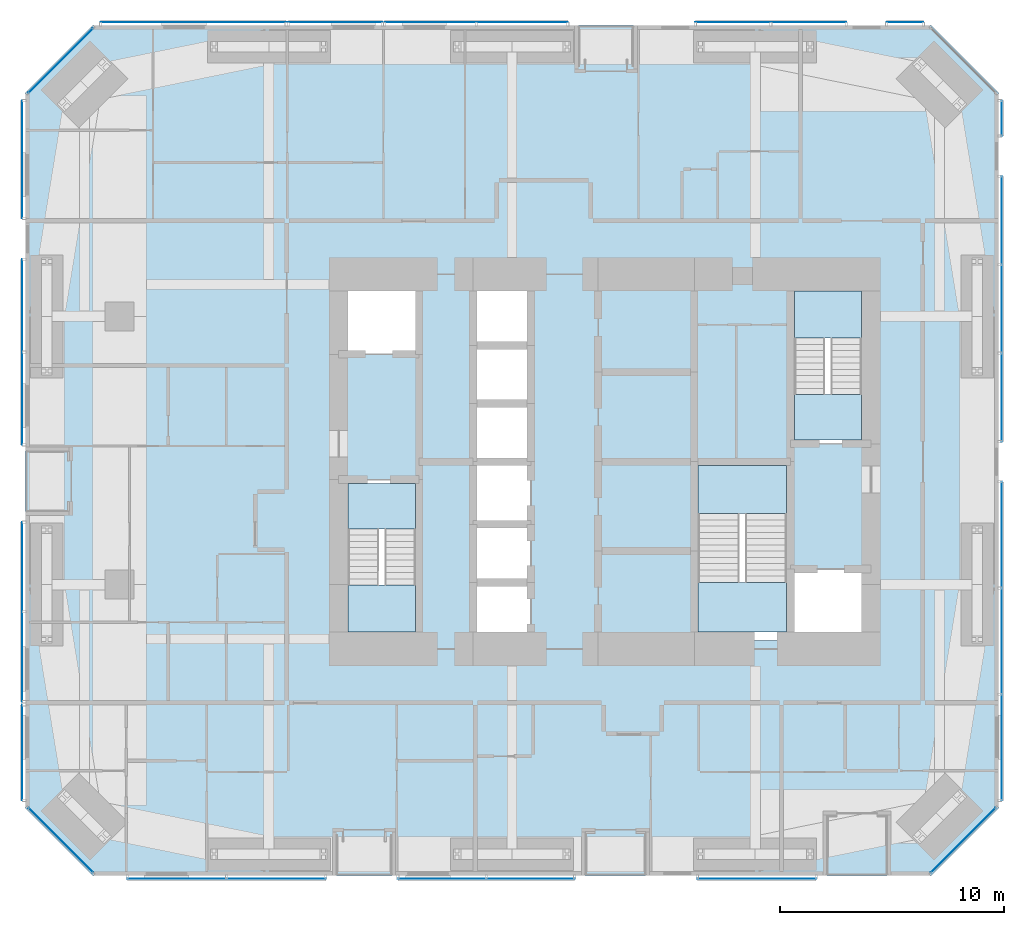
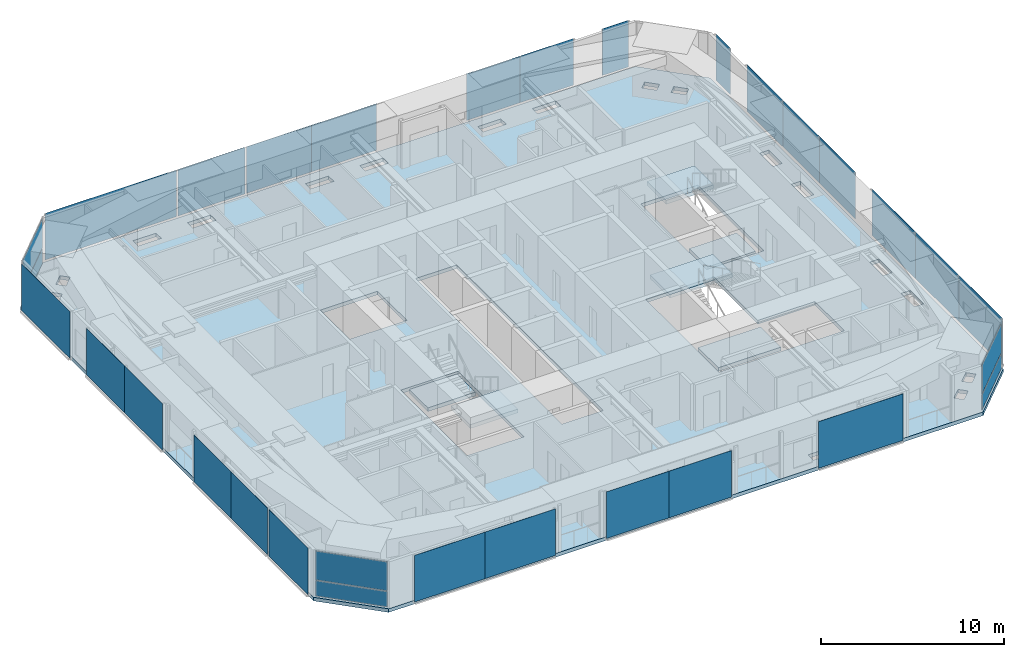
# One storey, part 15 of 23: 31 plates, 7 slabs, 21 elements without a shape of their own.
"""IFC4 building model written with IfcOpenShell, lengths in metres."""

from ifc_helpers import new_model, si_unit, direction, frame, origin, origin_2d, place, context, subcontext, project, spatial, polyline, rectangle, outline, extrude, material, layer, layer_set, type_object, element, aggregate, save


model = new_model("IFC4")

# Units and contexts
model_context = context("Model", 3, precision=1e-05, world=origin(), true_north=direction((0.0, 1.0)))
body_context = subcontext(model_context, "Body", "Model", "MODEL_VIEW")
ifc_project = project(units=[si_unit("LENGTHUNIT", "METRE"), si_unit("AREAUNIT", "SQUARE_METRE"), si_unit("VOLUMEUNIT", "CUBIC_METRE"), si_unit("PLANEANGLEUNIT", "RADIAN"), si_unit("MASSUNIT", "GRAM", prefix="KILO")], contexts=[model_context])

# Site, building, storey
site_placement = place(None, origin())
site = spatial("IfcSite", under=ifc_project, at=site_placement, CompositionType="ELEMENT")
building_placement = place(site_placement, origin())
building = spatial("IfcBuilding", under=site, at=building_placement, Name="Jalousie Tower", CompositionType="ELEMENT")
storey_placement = place(building_placement, frame((0.0, 0.0, 108.199951171875)))
storey = spatial("IfcBuildingStorey", under=building, at=storey_placement, Name="L29", CompositionType="ELEMENT", Elevation=108.199951171875)

# Curtain wall, plates
ifc_material_1 = material(Name="Aluminium curtain wall", Category="aluminium")
curtain_wall_type_1 = type_object("IfcCurtainWallType", Name="CORNER WINDOW WALL", PredefinedType="USERDEFINED", material=ifc_material_1)
curtain_wall_1_placement = place(storey_placement, origin())
curtain_wall_1 = element("IfcCurtainWall", 1, at=curtain_wall_1_placement, inside=storey, type_object=curtain_wall_type_1, Name="Corner Window Wall L29 2", ObjectType="CORNER WINDOW WALL", PredefinedType="USERDEFINED")
ifc_material_2 = material(Name="Laminated impact-rated spandrel glass", Category="glass")
ifc_layer_1 = layer(ifc_material_2, 0.028076171875)
ifc_layer_set_1 = layer_set([ifc_layer_1], Name="Laminated impact-rated spandrel glass")
plate_type_1 = type_object("IfcPlateType", Name="CORNER WINDOW WALL PANEL", PredefinedType="CURTAIN_PANEL", material=ifc_layer_set_1)
plate_1_placement = place(storey_placement, frame((47.9306640625, 1.5693359375, 0.06005859375), z_axis=(0.0, 0.0, 1.0), x_axis=(0.707106781187, 0.707106781187, 0.0)))
plate_1 = element("IfcPlate", 2, at=plate_1_placement, type_object=plate_type_1, Name="CW-C panel 1.1", PredefinedType="CURTAIN_PANEL", context=body_context, shape_type="SweptSolid", body=[
    extrude(rectangle(XDim=4.071533203125, YDim=0.028076171875, at=origin_2d()), origin(), (0.0, 0.0, 1.0), 1.010009765625),
])
plate_2_placement = place(storey_placement, frame((47.9306640625, 1.5693359375, 1.130126953125), z_axis=(0.0, 0.0, 1.0), x_axis=(0.707106781187, 0.707106781187, 0.0)))
plate_2 = element("IfcPlate", 3, at=plate_2_placement, type_object=plate_type_1, Name="CW-C panel 1.2", PredefinedType="CURTAIN_PANEL", context=body_context, shape_type="SweptSolid", body=[
    extrude(rectangle(XDim=4.071533203125, YDim=0.028076171875, at=origin_2d()), origin(), (0.0, 0.0, 1.0), 1.919921875),
])
aggregate(curtain_wall_1, [plate_1, plate_2])

curtain_wall_2_placement = place(storey_placement, origin())
curtain_wall_2 = element("IfcCurtainWall", 4, at=curtain_wall_2_placement, inside=storey, type_object=curtain_wall_type_1, Name="Corner Window Wall L29 6", ObjectType="CORNER WINDOW WALL", PredefinedType="USERDEFINED")
plate_3_placement = place(storey_placement, frame((7.5693359375, 36.4306640625, 0.06005859375), z_axis=(0.0, 0.0, 1.0), x_axis=(-0.707106781187, -0.707106781187, 0.0)))
plate_3 = element("IfcPlate", 5, at=plate_3_placement, type_object=plate_type_1, Name="CW-C panel 1.1", PredefinedType="CURTAIN_PANEL", context=body_context, shape_type="SweptSolid", body=[
    extrude(rectangle(XDim=4.071533203125, YDim=0.028076171875, at=origin_2d()), origin(), (0.0, 0.0, 1.0), 1.010009765625),
])
plate_4_placement = place(storey_placement, frame((7.5693359375, 36.4306640625, 1.130126953125), z_axis=(0.0, 0.0, 1.0), x_axis=(-0.707106781187, -0.707106781187, 0.0)))
plate_4 = element("IfcPlate", 6, at=plate_4_placement, type_object=plate_type_1, Name="CW-C panel 1.2", PredefinedType="CURTAIN_PANEL", context=body_context, shape_type="SweptSolid", body=[
    extrude(rectangle(XDim=4.071533203125, YDim=0.028076171875, at=origin_2d()), origin(), (0.0, 0.0, 1.0), 1.919921875),
])
aggregate(curtain_wall_2, [plate_3, plate_4])

curtain_wall_3_placement = place(storey_placement, origin())
curtain_wall_3 = element("IfcCurtainWall", 7, at=curtain_wall_3_placement, inside=storey, type_object=curtain_wall_type_1, Name="Corner Window Wall L29 8", ObjectType="CORNER WINDOW WALL", PredefinedType="USERDEFINED")
plate_5_placement = place(storey_placement, frame((7.5693359375, 1.5693359375, 0.06005859375), z_axis=(0.0, 0.0, 1.0), x_axis=(0.707106781187, -0.707106781187, 0.0)))
plate_5 = element("IfcPlate", 8, at=plate_5_placement, type_object=plate_type_1, Name="CW-C panel 1.1", PredefinedType="CURTAIN_PANEL", context=body_context, shape_type="SweptSolid", body=[
    extrude(rectangle(XDim=4.071533203125, YDim=0.028076171875, at=origin_2d()), origin(), (0.0, 0.0, 1.0), 1.010009765625),
])
plate_6_placement = place(storey_placement, frame((7.5693359375, 1.5693359375, 1.130126953125), z_axis=(0.0, 0.0, 1.0), x_axis=(0.707106781187, -0.707106781187, 0.0)))
plate_6 = element("IfcPlate", 9, at=plate_6_placement, type_object=plate_type_1, Name="CW-C panel 1.2", PredefinedType="CURTAIN_PANEL", context=body_context, shape_type="SweptSolid", body=[
    extrude(rectangle(XDim=4.071533203125, YDim=0.028076171875, at=origin_2d()), origin(), (0.0, 0.0, 1.0), 1.919921875),
])
aggregate(curtain_wall_3, [plate_5, plate_6])

# Slab
ifc_material_3 = material(Name="Concrete f'c 40 MPa", Category="concrete")
ifc_layer_2 = layer(ifc_material_3, 0.239990234375)
ifc_layer_set_2 = layer_set([ifc_layer_2], Name="Concrete f'c 40 MPa")
slab_type_1 = type_object("IfcSlabType", Name="FLOOR SLAB 240", PredefinedType="FLOOR", material=ifc_layer_set_2)
slab_1_placement = place(storey_placement, frame((0.0, 0.0, -0.239990234375)))
element("IfcSlab", 10, at=slab_1_placement, inside=storey, type_object=slab_type_1, Name="L29 floor slab", PredefinedType="FLOOR", context=body_context, shape_type="SweptSolid", body=[
    extrude(outline(polyline([(9.0, 0.0), (46.5, 0.0), (49.5, 3.0), (49.5, 35.0), (46.5, 38.0), (9.0, 38.0), (6.0, 35.0), (6.0, 3.0), (9.0, 0.0)]), holes=[polyline([(14.425048828125, 1.236083984375), (14.484619140625, 1.236083984375), (15.888916015625, 1.236083984375), (15.888916015625, 0.663818359375), (14.484619140625, 0.663818359375), (14.425048828125, 0.663818359375), (14.425048828125, 1.236083984375)]), polyline([(26.763916015625, 1.236083984375), (26.763916015625, 0.663818359375), (25.359619140625, 0.663818359375), (25.300048828125, 0.663818359375), (25.300048828125, 1.236083984375), (25.359619140625, 1.236083984375), (26.763916015625, 1.236083984375)]), polyline([(17.861083984375, 1.236083984375), (19.265380859375, 1.236083984375), (19.324951171875, 1.236083984375), (19.324951171875, 0.663818359375), (19.265380859375, 0.663818359375), (17.861083984375, 0.663818359375), (17.861083984375, 1.236083984375)]), polyline([(9.220947265625, 1.636962890625), (8.71435546875, 2.1435546875), (9.119140625, 2.54833984375), (9.625732421875, 2.041748046875), (9.625732421875, 2.041748046875), (9.717529296875, 1.949951171875), (9.515380859375, 1.74755859375), (9.31298828125, 1.545166015625), (9.31298828125, 1.545166015625), (9.31298828125, 1.545166015625), (9.220947265625, 1.636962890625), (9.220947265625, 1.636962890625)]), polyline([(8.54833984375, 3.119140625), (8.1435546875, 2.71435546875), (7.545166015625, 3.31298828125), (7.545166015625, 3.31298828125), (7.74755859375, 3.515380859375), (7.949951171875, 3.717529296875), (8.54833984375, 3.119140625)]), polyline([(7.236083984375, 10.550048828125), (6.663818359375, 10.550048828125), (6.663818359375, 10.609619140625), (6.663818359375, 12.013916015625), (7.236083984375, 12.013916015625), (7.236083984375, 10.609619140625), (7.236083984375, 10.550048828125)]), polyline([(26.0, 10.5), (26.0, 26.5), (28.60009765625, 26.5), (28.60009765625, 10.5), (26.0, 10.5)]), polyline([(20.0, 10.5), (23.60009765625, 10.5), (23.60009765625, 17.699951171875), (20.0, 17.699951171875), (20.0, 10.5)]), polyline([(7.236083984375, 15.390380859375), (7.236083984375, 13.986083984375), (6.663818359375, 13.986083984375), (6.663818359375, 15.390380859375), (6.663818359375, 15.449951171875), (7.236083984375, 15.449951171875), (7.236083984375, 15.390380859375)]), polyline([(6.663818359375, 24.013916015625), (7.236083984375, 24.013916015625), (7.236083984375, 22.609619140625), (7.236083984375, 22.550048828125), (6.663818359375, 22.550048828125), (6.663818359375, 22.609619140625), (6.663818359375, 24.013916015625)]), polyline([(20.0, 23.300048828125), (23.60009765625, 23.300048828125), (23.60009765625, 26.5), (20.0, 26.5), (20.0, 23.300048828125)]), polyline([(7.236083984375, 25.986083984375), (6.663818359375, 25.986083984375), (6.663818359375, 27.390380859375), (6.663818359375, 27.449951171875), (7.236083984375, 27.449951171875), (7.236083984375, 27.390380859375), (7.236083984375, 25.986083984375)]), polyline([(7.949951171875, 34.282470703125), (7.74755859375, 34.484619140625), (7.545166015625, 34.68701171875), (7.636962890625, 34.779052734375), (7.636962890625, 34.779052734375), (8.1435546875, 35.28564453125), (8.54833984375, 34.880859375), (8.041748046875, 34.374267578125), (7.949951171875, 34.282470703125), (7.949951171875, 34.282470703125), (7.949951171875, 34.282470703125)]), polyline([(9.515380859375, 36.25244140625), (9.717529296875, 36.050048828125), (9.625732421875, 35.958251953125), (9.625732421875, 35.958251953125), (9.119140625, 35.45166015625), (8.71435546875, 35.8564453125), (9.220947265625, 36.363037109375), (9.31298828125, 36.454833984375), (9.31298828125, 36.454833984375), (9.31298828125, 36.454833984375), (9.515380859375, 36.25244140625)]), polyline([(26.763916015625, 36.763916015625), (25.359619140625, 36.763916015625), (25.300048828125, 36.763916015625), (25.300048828125, 37.336181640625), (25.359619140625, 37.336181640625), (26.763916015625, 37.336181640625), (26.763916015625, 36.763916015625)]), polyline([(19.324951171875, 37.336181640625), (19.324951171875, 36.763916015625), (19.265380859375, 36.763916015625), (17.861083984375, 36.763916015625), (17.861083984375, 37.336181640625), (19.265380859375, 37.336181640625), (19.324951171875, 37.336181640625)]), polyline([(14.425048828125, 36.763916015625), (14.425048828125, 37.336181640625), (14.484619140625, 37.336181640625), (15.888916015625, 37.336181640625), (15.888916015625, 36.763916015625), (14.484619140625, 36.763916015625), (14.425048828125, 36.763916015625)]), polyline([(28.736083984375, 0.663818359375), (28.736083984375, 1.236083984375), (30.140380859375, 1.236083984375), (30.199951171875, 1.236083984375), (30.199951171875, 0.663818359375), (30.140380859375, 0.663818359375), (28.736083984375, 0.663818359375)]), polyline([(36.234619140625, 0.663818359375), (36.175048828125, 0.663818359375), (36.175048828125, 1.236083984375), (36.234619140625, 1.236083984375), (37.638916015625, 1.236083984375), (37.638916015625, 0.663818359375), (36.234619140625, 0.663818359375)]), polyline([(41.015380859375, 1.236083984375), (41.074951171875, 1.236083984375), (41.074951171875, 0.663818359375), (41.015380859375, 0.663818359375), (39.611083984375, 0.663818359375), (39.611083984375, 1.236083984375), (41.015380859375, 1.236083984375)]), polyline([(46.279052734375, 1.636962890625), (46.18701171875, 1.545166015625), (45.984619140625, 1.74755859375), (45.782470703125, 1.949951171875), (45.782470703125, 1.949951171875), (45.782470703125, 1.949951171875), (45.874267578125, 2.041748046875), (46.380859375, 2.54833984375), (46.78564453125, 2.1435546875), (46.279052734375, 1.636962890625), (46.279052734375, 1.636962890625)]), polyline([(47.458251953125, 3.625732421875), (47.458251953125, 3.625732421875), (47.550048828125, 3.717529296875), (47.75244140625, 3.515380859375), (47.954833984375, 3.31298828125), (47.954833984375, 3.31298828125), (47.954833984375, 3.31298828125), (47.863037109375, 3.220947265625), (47.3564453125, 2.71435546875), (46.95166015625, 3.119140625), (47.458251953125, 3.625732421875)]), polyline([(48.836181640625, 10.550048828125), (48.263916015625, 10.550048828125), (48.263916015625, 10.609619140625), (48.263916015625, 12.013916015625), (48.836181640625, 12.013916015625), (48.836181640625, 10.609619140625), (48.836181640625, 10.550048828125)]), polyline([(35.89990234375, 18.5), (40.199951171875, 18.5), (40.199951171875, 13.699951171875), (43.800048828125, 13.699951171875), (43.800048828125, 10.5), (35.89990234375, 10.5), (35.89990234375, 18.5)]), polyline([(48.836181640625, 13.986083984375), (48.263916015625, 13.986083984375), (48.263916015625, 15.390380859375), (48.263916015625, 15.449951171875), (48.836181640625, 15.449951171875), (48.836181640625, 15.390380859375), (48.836181640625, 13.986083984375)]), polyline([(40.199951171875, 19.300048828125), (43.800048828125, 19.300048828125), (43.800048828125, 26.5), (40.199951171875, 26.5), (40.199951171875, 19.300048828125)]), polyline([(48.836181640625, 22.550048828125), (48.263916015625, 22.550048828125), (48.263916015625, 22.609619140625), (48.263916015625, 24.013916015625), (48.836181640625, 24.013916015625), (48.836181640625, 22.609619140625), (48.836181640625, 22.550048828125)]), polyline([(48.836181640625, 27.390380859375), (48.836181640625, 25.986083984375), (48.263916015625, 25.986083984375), (48.263916015625, 27.390380859375), (48.263916015625, 27.449951171875), (48.836181640625, 27.449951171875), (48.836181640625, 27.390380859375)]), polyline([(47.3564453125, 35.28564453125), (47.863037109375, 34.779052734375), (47.954833984375, 34.68701171875), (47.550048828125, 34.282470703125), (46.95166015625, 34.880859375), (47.3564453125, 35.28564453125)]), polyline([(46.380859375, 35.45166015625), (45.782470703125, 36.050048828125), (46.18701171875, 36.454833984375), (46.279052734375, 36.363037109375), (46.78564453125, 35.8564453125), (46.380859375, 35.45166015625)]), polyline([(41.015380859375, 37.336181640625), (41.074951171875, 37.336181640625), (41.074951171875, 36.763916015625), (41.015380859375, 36.763916015625), (39.611083984375, 36.763916015625), (39.611083984375, 37.336181640625), (41.015380859375, 37.336181640625)]), polyline([(37.638916015625, 37.336181640625), (37.638916015625, 36.763916015625), (36.234619140625, 36.763916015625), (36.175048828125, 36.763916015625), (36.175048828125, 37.336181640625), (36.234619140625, 37.336181640625), (37.638916015625, 37.336181640625)]), polyline([(28.736083984375, 37.336181640625), (30.140380859375, 37.336181640625), (30.199951171875, 37.336181640625), (30.199951171875, 36.763916015625), (30.140380859375, 36.763916015625), (28.736083984375, 36.763916015625), (28.736083984375, 37.336181640625)])]), origin(), (0.0, 0.0, 1.0), 0.239990234375),
])

# Curtain wall, plates
ifc_material_4 = material(Name="Perforated aluminium sheet", Category="aluminium")
curtain_wall_type_2 = type_object("IfcCurtainWallType", Name="SOLAR SCREEN SS-1", PredefinedType="USERDEFINED", material=ifc_material_4)
curtain_wall_4_placement = place(storey_placement, origin())
curtain_wall_4 = element("IfcCurtainWall", 11, at=curtain_wall_4_placement, inside=storey, type_object=curtain_wall_type_2, Name="Solar screen L29", ObjectType="SOLAR SCREEN SS-1", PredefinedType="USERDEFINED")
ifc_material_5 = material(Name="Perforated aluminium sheet", Category="aluminium")
ifc_layer_3 = layer(ifc_material_5, 0.006103515625)
ifc_layer_set_3 = layer_set([ifc_layer_3], Name="Perforated aluminium sheet")
plate_type_2 = type_object("IfcPlateType", Name="SOLAR SCREEN SS-1 PANEL", PredefinedType="CURTAIN_PANEL", material=ifc_layer_set_3)
plate_7_placement = place(storey_placement, frame((12.768798828125, -0.150390625, 0.0), z_axis=(0.0, 0.0, 1.0), x_axis=(1.0, 0.0, 0.0)))
plate_7 = element("IfcPlate", 12, at=plate_7_placement, type_object=plate_type_2, Name="SS1 perforated panel 1", PredefinedType="CURTAIN_PANEL", context=body_context, shape_type="SweptSolid", body=[
    extrude(rectangle(XDim=4.4375, YDim=0.006103515625, at=origin_2d()), origin(), (0.0, 0.0, 1.0), 3.110107421875),
])
plate_8_placement = place(storey_placement, frame((17.206298828125, -0.150390625, 0.0), z_axis=(0.0, 0.0, 1.0), x_axis=(1.0, 0.0, 0.0)))
plate_8 = element("IfcPlate", 13, at=plate_8_placement, type_object=plate_type_2, Name="SS1 perforated panel 2", PredefinedType="CURTAIN_PANEL", context=body_context, shape_type="SweptSolid", body=[
    extrude(rectangle(XDim=4.4375, YDim=0.006103515625, at=origin_2d()), origin(), (0.0, 0.0, 1.0), 3.110107421875),
])
aggregate(curtain_wall_4, [plate_7, plate_8])

curtain_wall_5_placement = place(storey_placement, origin())
curtain_wall_5 = element("IfcCurtainWall", 14, at=curtain_wall_5_placement, inside=storey, type_object=curtain_wall_type_2, Name="Solar screen L29", ObjectType="SOLAR SCREEN SS-1", PredefinedType="USERDEFINED")
plate_9_placement = place(storey_placement, frame((24.625, -0.150390625, 0.0), z_axis=(0.0, 0.0, 1.0), x_axis=(1.0, 0.0, 0.0)))
plate_9 = element("IfcPlate", 15, at=plate_9_placement, type_object=plate_type_2, Name="SS1 perforated panel 1", PredefinedType="CURTAIN_PANEL", context=body_context, shape_type="SweptSolid", body=[
    extrude(rectangle(XDim=3.949951171875, YDim=0.006103515625, at=origin_2d()), origin(), (0.0, 0.0, 1.0), 3.110107421875),
])
plate_10_placement = place(storey_placement, frame((28.574951171875, -0.150390625, 0.0), z_axis=(0.0, 0.0, 1.0), x_axis=(1.0, 0.0, 0.0)))
plate_10 = element("IfcPlate", 16, at=plate_10_placement, type_object=plate_type_2, Name="SS1 perforated panel 2", PredefinedType="CURTAIN_PANEL", context=body_context, shape_type="SweptSolid", body=[
    extrude(rectangle(XDim=3.949951171875, YDim=0.006103515625, at=origin_2d()), origin(), (0.0, 0.0, 1.0), 3.110107421875),
])
aggregate(curtain_wall_5, [plate_9, plate_10])

# Curtain wall, plate
curtain_wall_6_placement = place(storey_placement, origin())
curtain_wall_6 = element("IfcCurtainWall", 17, at=curtain_wall_6_placement, inside=storey, type_object=curtain_wall_type_2, Name="Solar screen L29", ObjectType="SOLAR SCREEN SS-1", PredefinedType="USERDEFINED")
plate_11_placement = place(storey_placement, frame((38.695068359375, -0.150390625, 0.0), z_axis=(0.0, 0.0, 1.0), x_axis=(1.0, 0.0, 0.0)))
plate_11 = element("IfcPlate", 18, at=plate_11_placement, type_object=plate_type_2, Name="SS1 perforated panel 1", PredefinedType="CURTAIN_PANEL", context=body_context, shape_type="SweptSolid", body=[
    extrude(rectangle(XDim=5.31005859375, YDim=0.006103515625, at=origin_2d()), origin(), (0.0, 0.0, 1.0), 3.110107421875),
])
aggregate(curtain_wall_6, [plate_11])

# Curtain wall, plates
curtain_wall_7_placement = place(storey_placement, origin())
curtain_wall_7 = element("IfcCurtainWall", 19, at=curtain_wall_7_placement, inside=storey, type_object=curtain_wall_type_2, Name="Solar screen L29", ObjectType="SOLAR SCREEN SS-1", PredefinedType="USERDEFINED")
plate_12_placement = place(storey_placement, frame((49.650390625, 5.72607421875, 0.0), z_axis=(0.0, 0.0, 1.0), x_axis=(0.0, 1.0, 0.0)))
plate_12 = element("IfcPlate", 20, at=plate_12_placement, type_object=plate_type_2, Name="SS1 perforated panel 1", PredefinedType="CURTAIN_PANEL", context=body_context, shape_type="SweptSolid", body=[
    extrude(rectangle(XDim=4.74951171875, YDim=0.006103515625, at=origin_2d()), origin(), (0.0, 0.0, 1.0), 3.110107421875),
])
plate_13_placement = place(storey_placement, frame((49.650390625, 10.4755859375, 0.0), z_axis=(0.0, 0.0, 1.0), x_axis=(0.0, 1.0, 0.0)))
plate_13 = element("IfcPlate", 21, at=plate_13_placement, type_object=plate_type_2, Name="SS1 perforated panel 2", PredefinedType="CURTAIN_PANEL", context=body_context, shape_type="SweptSolid", body=[
    extrude(rectangle(XDim=4.74951171875, YDim=0.006103515625, at=origin_2d()), origin(), (0.0, 0.0, 1.0), 3.110107421875),
])
plate_14_placement = place(storey_placement, frame((49.650390625, 15.22509765625, 0.0), z_axis=(0.0, 0.0, 1.0), x_axis=(0.0, 1.0, 0.0)))
plate_14 = element("IfcPlate", 22, at=plate_14_placement, type_object=plate_type_2, Name="SS1 perforated panel 3", PredefinedType="CURTAIN_PANEL", context=body_context, shape_type="SweptSolid", body=[
    extrude(rectangle(XDim=4.74951171875, YDim=0.006103515625, at=origin_2d()), origin(), (0.0, 0.0, 1.0), 3.110107421875),
])
aggregate(curtain_wall_7, [plate_12, plate_13, plate_14])

curtain_wall_8_placement = place(storey_placement, origin())
curtain_wall_8 = element("IfcCurtainWall", 23, at=curtain_wall_8_placement, inside=storey, type_object=curtain_wall_type_2, Name="Solar screen L29", ObjectType="SOLAR SCREEN SS-1", PredefinedType="USERDEFINED")
plate_15_placement = place(storey_placement, frame((49.650390625, 21.376953125, 0.0), z_axis=(0.0, 0.0, 1.0), x_axis=(0.0, 1.0, 0.0)))
plate_15 = element("IfcPlate", 24, at=plate_15_placement, type_object=plate_type_2, Name="SS1 perforated panel 1", PredefinedType="CURTAIN_PANEL", context=body_context, shape_type="SweptSolid", body=[
    extrude(rectangle(XDim=3.9541015625, YDim=0.006103515625, at=origin_2d()), origin(), (0.0, 0.0, 1.0), 3.110107421875),
])
plate_16_placement = place(storey_placement, frame((49.650390625, 25.3310546875, 0.0), z_axis=(0.0, 0.0, 1.0), x_axis=(0.0, 1.0, 0.0)))
plate_16 = element("IfcPlate", 25, at=plate_16_placement, type_object=plate_type_2, Name="SS1 perforated panel 2", PredefinedType="CURTAIN_PANEL", context=body_context, shape_type="SweptSolid", body=[
    extrude(rectangle(XDim=3.9541015625, YDim=0.006103515625, at=origin_2d()), origin(), (0.0, 0.0, 1.0), 3.110107421875),
])
plate_17_placement = place(storey_placement, frame((49.650390625, 29.284912109375, 0.0), z_axis=(0.0, 0.0, 1.0), x_axis=(0.0, 1.0, 0.0)))
plate_17 = element("IfcPlate", 26, at=plate_17_placement, type_object=plate_type_2, Name="SS1 perforated panel 3", PredefinedType="CURTAIN_PANEL", context=body_context, shape_type="SweptSolid", body=[
    extrude(rectangle(XDim=3.9541015625, YDim=0.006103515625, at=origin_2d()), origin(), (0.0, 0.0, 1.0), 3.110107421875),
])
aggregate(curtain_wall_8, [plate_15, plate_16, plate_17])

# Curtain wall, plate
curtain_wall_9_placement = place(storey_placement, origin())
curtain_wall_9 = element("IfcCurtainWall", 27, at=curtain_wall_9_placement, inside=storey, type_object=curtain_wall_type_2, Name="Solar screen L29", ObjectType="SOLAR SCREEN SS-1", PredefinedType="USERDEFINED")
plate_18_placement = place(storey_placement, frame((49.650390625, 33.855224609375, 0.0), z_axis=(0.0, 0.0, 1.0), x_axis=(0.0, 1.0, 0.0)))
plate_18 = element("IfcPlate", 28, at=plate_18_placement, type_object=plate_type_2, Name="SS1 perforated panel 1", PredefinedType="CURTAIN_PANEL", context=body_context, shape_type="SweptSolid", body=[
    extrude(rectangle(XDim=1.5869140625, YDim=0.006103515625, at=origin_2d()), origin(), (0.0, 0.0, 1.0), 3.110107421875),
])
aggregate(curtain_wall_9, [plate_18])

curtain_wall_10_placement = place(storey_placement, origin())
curtain_wall_10 = element("IfcCurtainWall", 29, at=curtain_wall_10_placement, inside=storey, type_object=curtain_wall_type_2, Name="Solar screen L29", ObjectType="SOLAR SCREEN SS-1", PredefinedType="USERDEFINED")
plate_19_placement = place(storey_placement, frame((45.323974609375, 38.150390625, 0.0), z_axis=(0.0, 0.0, 1.0), x_axis=(-1.0, 0.0, 0.0)))
plate_19 = element("IfcPlate", 30, at=plate_19_placement, type_object=plate_type_2, Name="SS1 perforated panel 1", PredefinedType="CURTAIN_PANEL", context=body_context, shape_type="SweptSolid", body=[
    extrude(rectangle(XDim=1.6494140625, YDim=0.006103515625, at=origin_2d()), origin(), (0.0, 0.0, 1.0), 3.110107421875),
])
aggregate(curtain_wall_10, [plate_19])

# Curtain wall, plates
curtain_wall_11_placement = place(storey_placement, origin())
curtain_wall_11 = element("IfcCurtainWall", 31, at=curtain_wall_11_placement, inside=storey, type_object=curtain_wall_type_2, Name="Solar screen L29", ObjectType="SOLAR SCREEN SS-1", PredefinedType="USERDEFINED")
plate_20_placement = place(storey_placement, frame((41.01220703125, 38.150390625, 0.0), z_axis=(0.0, 0.0, 1.0), x_axis=(-1.0, 0.0, 0.0)))
plate_20 = element("IfcPlate", 32, at=plate_20_placement, type_object=plate_type_2, Name="SS1 perforated panel 1", PredefinedType="CURTAIN_PANEL", context=body_context, shape_type="SweptSolid", body=[
    extrude(rectangle(XDim=3.37451171875, YDim=0.006103515625, at=origin_2d()), origin(), (0.0, 0.0, 1.0), 3.110107421875),
])
plate_21_placement = place(storey_placement, frame((37.6376953125, 38.150390625, 0.0), z_axis=(0.0, 0.0, 1.0), x_axis=(-1.0, 0.0, 0.0)))
plate_21 = element("IfcPlate", 33, at=plate_21_placement, type_object=plate_type_2, Name="SS1 perforated panel 2", PredefinedType="CURTAIN_PANEL", context=body_context, shape_type="SweptSolid", body=[
    extrude(rectangle(XDim=3.37451171875, YDim=0.006103515625, at=origin_2d()), origin(), (0.0, 0.0, 1.0), 3.110107421875),
])
aggregate(curtain_wall_11, [plate_20, plate_21])

curtain_wall_12_placement = place(storey_placement, origin())
curtain_wall_12 = element("IfcCurtainWall", 34, at=curtain_wall_12_placement, inside=storey, type_object=curtain_wall_type_2, Name="Solar screen L29", ObjectType="SOLAR SCREEN SS-1", PredefinedType="USERDEFINED")
plate_22_placement = place(storey_placement, frame((28.200439453125, 38.150390625, 0.0), z_axis=(0.0, 0.0, 1.0), x_axis=(-1.0, 0.0, 0.0)))
plate_22 = element("IfcPlate", 35, at=plate_22_placement, type_object=plate_type_2, Name="SS1 perforated panel 1", PredefinedType="CURTAIN_PANEL", context=body_context, shape_type="SweptSolid", body=[
    extrude(rectangle(XDim=4.100341796875, YDim=0.006103515625, at=origin_2d()), origin(), (0.0, 0.0, 1.0), 3.110107421875),
])
plate_23_placement = place(storey_placement, frame((24.10009765625, 38.150390625, 0.0), z_axis=(0.0, 0.0, 1.0), x_axis=(-1.0, 0.0, 0.0)))
plate_23 = element("IfcPlate", 36, at=plate_23_placement, type_object=plate_type_2, Name="SS1 perforated panel 2", PredefinedType="CURTAIN_PANEL", context=body_context, shape_type="SweptSolid", body=[
    extrude(rectangle(XDim=4.100341796875, YDim=0.006103515625, at=origin_2d()), origin(), (0.0, 0.0, 1.0), 3.110107421875),
])
aggregate(curtain_wall_12, [plate_22, plate_23])

# Curtain wall, plate
curtain_wall_13_placement = place(storey_placement, origin())
curtain_wall_13 = element("IfcCurtainWall", 37, at=curtain_wall_13_placement, inside=storey, type_object=curtain_wall_type_2, Name="Solar screen L29", ObjectType="SOLAR SCREEN SS-1", PredefinedType="USERDEFINED")
plate_24_placement = place(storey_placement, frame((19.85009765625, 38.150390625, 0.0), z_axis=(0.0, 0.0, 1.0), x_axis=(-1.0, 0.0, 0.0)))
plate_24 = element("IfcPlate", 38, at=plate_24_placement, type_object=plate_type_2, Name="SS1 perforated panel 1", PredefinedType="CURTAIN_PANEL", context=body_context, shape_type="SweptSolid", body=[
    extrude(rectangle(XDim=4.199951171875, YDim=0.006103515625, at=origin_2d()), origin(), (0.0, 0.0, 1.0), 3.110107421875),
])
aggregate(curtain_wall_13, [plate_24])

curtain_wall_14_placement = place(storey_placement, origin())
curtain_wall_14 = element("IfcCurtainWall", 39, at=curtain_wall_14_placement, inside=storey, type_object=curtain_wall_type_2, Name="Solar screen L29", ObjectType="SOLAR SCREEN SS-1", PredefinedType="USERDEFINED")
plate_25_placement = place(storey_placement, frame((13.500732421875, 38.150390625, 0.0), z_axis=(0.0, 0.0, 1.0), x_axis=(-1.0, 0.0, 0.0)))
plate_25 = element("IfcPlate", 40, at=plate_25_placement, type_object=plate_type_2, Name="SS1 perforated panel 1", PredefinedType="CURTAIN_PANEL", context=body_context, shape_type="SweptSolid", body=[
    extrude(rectangle(XDim=8.298583984375, YDim=0.006103515625, at=origin_2d()), origin(), (0.0, 0.0, 1.0), 3.110107421875),
])
aggregate(curtain_wall_14, [plate_25])

curtain_wall_15_placement = place(storey_placement, origin())
curtain_wall_15 = element("IfcCurtainWall", 41, at=curtain_wall_15_placement, inside=storey, type_object=curtain_wall_type_2, Name="Solar screen L29", ObjectType="SOLAR SCREEN SS-1", PredefinedType="USERDEFINED")
plate_26_placement = place(storey_placement, frame((5.849609375, 32.01171875, 0.0), z_axis=(0.0, 0.0, 1.0), x_axis=(0.0, -1.0, 0.0)))
plate_26 = element("IfcPlate", 42, at=plate_26_placement, type_object=plate_type_2, Name="SS1 perforated panel 1", PredefinedType="CURTAIN_PANEL", context=body_context, shape_type="SweptSolid", body=[
    extrude(rectangle(XDim=5.273681640625, YDim=0.006103515625, at=origin_2d()), origin(), (0.0, 0.0, 1.0), 3.110107421875),
])
aggregate(curtain_wall_15, [plate_26])

# Curtain wall, plates
curtain_wall_16_placement = place(storey_placement, origin())
curtain_wall_16 = element("IfcCurtainWall", 43, at=curtain_wall_16_placement, inside=storey, type_object=curtain_wall_type_2, Name="Solar screen L29", ObjectType="SOLAR SCREEN SS-1", PredefinedType="USERDEFINED")
plate_27_placement = place(storey_placement, frame((5.849609375, 25.47509765625, 0.0), z_axis=(0.0, 0.0, 1.0), x_axis=(0.0, -1.0, 0.0)))
plate_27 = element("IfcPlate", 44, at=plate_27_placement, type_object=plate_type_2, Name="SS1 perforated panel 1", PredefinedType="CURTAIN_PANEL", context=body_context, shape_type="SweptSolid", body=[
    extrude(rectangle(XDim=4.14990234375, YDim=0.006103515625, at=origin_2d()), origin(), (0.0, 0.0, 1.0), 3.110107421875),
])
plate_28_placement = place(storey_placement, frame((5.849609375, 21.324951171875, 0.0), z_axis=(0.0, 0.0, 1.0), x_axis=(0.0, -1.0, 0.0)))
plate_28 = element("IfcPlate", 45, at=plate_28_placement, type_object=plate_type_2, Name="SS1 perforated panel 2", PredefinedType="CURTAIN_PANEL", context=body_context, shape_type="SweptSolid", body=[
    extrude(rectangle(XDim=4.14990234375, YDim=0.006103515625, at=origin_2d()), origin(), (0.0, 0.0, 1.0), 3.110107421875),
])
aggregate(curtain_wall_16, [plate_27, plate_28])

curtain_wall_17_placement = place(storey_placement, origin())
curtain_wall_17 = element("IfcCurtainWall", 46, at=curtain_wall_17_placement, inside=storey, type_object=curtain_wall_type_2, Name="Solar screen L29", ObjectType="SOLAR SCREEN SS-1", PredefinedType="USERDEFINED")
plate_29_placement = place(storey_placement, frame((5.849609375, 13.793701171875, 0.0), z_axis=(0.0, 0.0, 1.0), x_axis=(0.0, -1.0, 0.0)))
plate_29 = element("IfcPlate", 47, at=plate_29_placement, type_object=plate_type_2, Name="SS1 perforated panel 1", PredefinedType="CURTAIN_PANEL", context=body_context, shape_type="SweptSolid", body=[
    extrude(rectangle(XDim=4.012451171875, YDim=0.006103515625, at=origin_2d()), origin(), (0.0, 0.0, 1.0), 3.110107421875),
])
plate_30_placement = place(storey_placement, frame((5.849609375, 9.78125, 0.0), z_axis=(0.0, 0.0, 1.0), x_axis=(0.0, -1.0, 0.0)))
plate_30 = element("IfcPlate", 48, at=plate_30_placement, type_object=plate_type_2, Name="SS1 perforated panel 2", PredefinedType="CURTAIN_PANEL", context=body_context, shape_type="SweptSolid", body=[
    extrude(rectangle(XDim=4.012451171875, YDim=0.006103515625, at=origin_2d()), origin(), (0.0, 0.0, 1.0), 3.110107421875),
])
aggregate(curtain_wall_17, [plate_29, plate_30])

# Curtain wall, plate
curtain_wall_18_placement = place(storey_placement, origin())
curtain_wall_18 = element("IfcCurtainWall", 49, at=curtain_wall_18_placement, inside=storey, type_object=curtain_wall_type_2, Name="Solar screen L29", ObjectType="SOLAR SCREEN SS-1", PredefinedType="USERDEFINED")
plate_31_placement = place(storey_placement, frame((5.849609375, 5.48828125, 0.0), z_axis=(0.0, 0.0, 1.0), x_axis=(0.0, -1.0, 0.0)))
plate_31 = element("IfcPlate", 50, at=plate_31_placement, type_object=plate_type_2, Name="SS1 perforated panel 1", PredefinedType="CURTAIN_PANEL", context=body_context, shape_type="SweptSolid", body=[
    extrude(rectangle(XDim=4.273681640625, YDim=0.006103515625, at=origin_2d()), origin(), (0.0, 0.0, 1.0), 3.110107421875),
])
aggregate(curtain_wall_18, [plate_31])

# Stair, slabs
ifc_material_6 = material(Name="Concrete f'c 40 MPa", Category="concrete")
stair_type = type_object("IfcStairType", Name="EXIT STAIR", PredefinedType="HALF_TURN_STAIR", material=ifc_material_6)
stair_1_placement = place(storey_placement, origin())
stair_1 = element("IfcStair", 51, at=stair_1_placement, inside=storey, type_object=stair_type, Name="Exit stair A L29", PredefinedType="HALF_TURN_STAIR")
ifc_material_7 = material(Name="Concrete f'c 40 MPa", Category="concrete")
ifc_layer_4 = layer(ifc_material_7, 0.25)
ifc_layer_set_4 = layer_set([ifc_layer_4], Name="Concrete f'c 40 MPa")
slab_type_2 = type_object("IfcSlabType", Name="STAIR LANDING 250", PredefinedType="LANDING", material=ifc_layer_set_4)
slab_2_placement = place(storey_placement, frame((0.0, 0.0, -0.25)))
slab_2 = element("IfcSlab", 52, at=slab_2_placement, type_object=slab_type_2, Name="ST-A landing 1", PredefinedType="LANDING", context=body_context, shape_type="SweptSolid", body=[
    extrude(outline(polyline([(20.425048828125, 15.49755859375), (23.425048828125, 15.49755859375), (23.425048828125, 17.52490234375), (20.425048828125, 17.52490234375), (20.425048828125, 15.49755859375)])), origin(), (0.0, 0.0, 1.0), 0.25),
])
slab_3_placement = place(storey_placement, frame((0.0, 0.0, 1.425048828125)))
slab_3 = element("IfcSlab", 53, at=slab_3_placement, type_object=slab_type_2, Name="ST-A landing 2", PredefinedType="LANDING", context=body_context, shape_type="SweptSolid", body=[
    extrude(outline(polyline([(20.425048828125, 10.875), (23.425048828125, 10.875), (23.425048828125, 12.9775390625), (20.425048828125, 12.9775390625), (20.425048828125, 10.875)])), origin(), (0.0, 0.0, 1.0), 0.25),
])
aggregate(stair_1, [slab_2, slab_3])

stair_2_placement = place(storey_placement, origin())
stair_2 = element("IfcStair", 54, at=stair_2_placement, inside=storey, type_object=stair_type, Name="Exit stair B L29", PredefinedType="HALF_TURN_STAIR")
slab_4_placement = place(storey_placement, frame((0.0, 0.0, -0.25)))
slab_4 = element("IfcSlab", 55, at=slab_4_placement, type_object=slab_type_2, Name="ST-B landing 1", PredefinedType="LANDING", context=body_context, shape_type="SweptSolid", body=[
    extrude(outline(polyline([(40.375, 19.47509765625), (43.375, 19.47509765625), (43.375, 21.50244140625), (40.375, 21.50244140625), (40.375, 19.47509765625)])), origin(), (0.0, 0.0, 1.0), 0.25),
])
slab_5_placement = place(storey_placement, frame((0.0, 0.0, 1.425048828125)))
slab_5 = element("IfcSlab", 56, at=slab_5_placement, type_object=slab_type_2, Name="ST-B landing 2", PredefinedType="LANDING", context=body_context, shape_type="SweptSolid", body=[
    extrude(outline(polyline([(40.375, 24.0224609375), (43.375, 24.0224609375), (43.375, 26.125), (40.375, 26.125), (40.375, 24.0224609375)])), origin(), (0.0, 0.0, 1.0), 0.25),
])
aggregate(stair_2, [slab_4, slab_5])

stair_3_placement = place(storey_placement, origin())
stair_3 = element("IfcStair", 57, at=stair_3_placement, inside=storey, type_object=stair_type, Name="Exit stair C L29", PredefinedType="HALF_TURN_STAIR")
slab_6_placement = place(storey_placement, frame((0.0, 0.0, -0.25)))
slab_6 = element("IfcSlab", 58, at=slab_6_placement, type_object=slab_type_2, Name="ST-C landing 1", PredefinedType="LANDING", context=body_context, shape_type="SweptSolid", body=[
    extrude(outline(polyline([(36.074951171875, 10.875), (40.02490234375, 10.875), (40.02490234375, 13.097412109375), (36.074951171875, 13.097412109375), (36.074951171875, 10.875)])), origin(), (0.0, 0.0, 1.0), 0.25),
])
slab_7_placement = place(storey_placement, frame((0.0, 0.0, 1.425048828125)))
slab_7 = element("IfcSlab", 59, at=slab_7_placement, type_object=slab_type_2, Name="ST-C landing 2", PredefinedType="LANDING", context=body_context, shape_type="SweptSolid", body=[
    extrude(outline(polyline([(36.074951171875, 16.177490234375), (40.02490234375, 16.177490234375), (40.02490234375, 18.324951171875), (36.074951171875, 18.324951171875), (36.074951171875, 16.177490234375)])), origin(), (0.0, 0.0, 1.0), 0.25),
])
aggregate(stair_3, [slab_6, slab_7])

save(model, "model.ifc")
